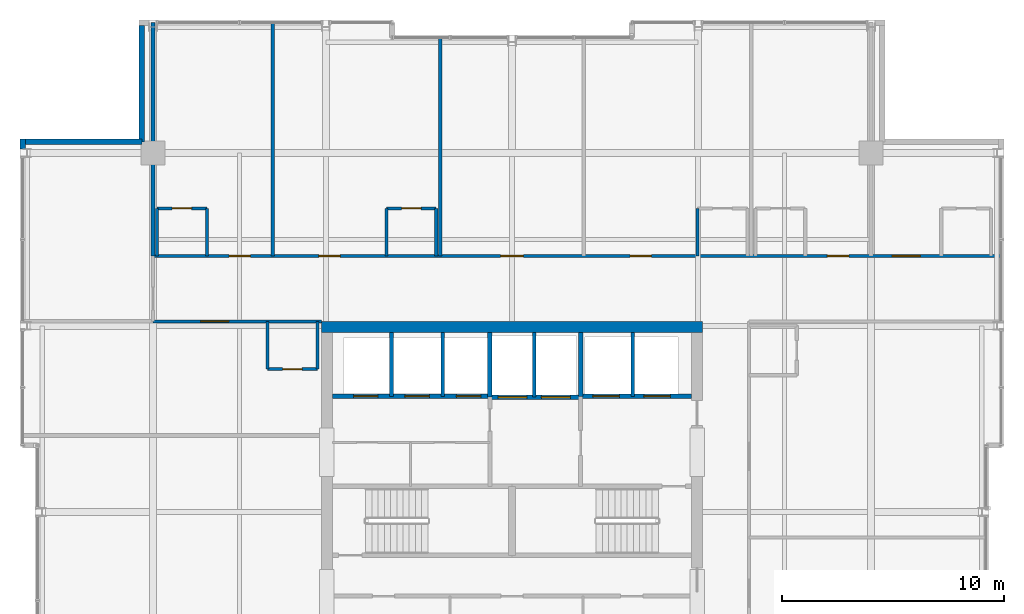
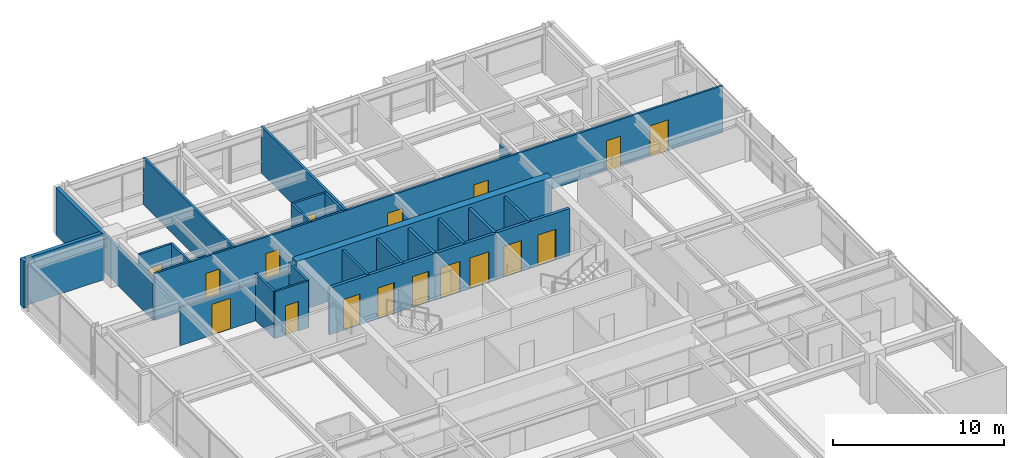
# One storey, part 28 of 32: 28 walls, 17 doors, 17 openings.
"""IFC4 building model written with IfcOpenShell, lengths in metres."""

from ifc_helpers import new_model, si_unit, direction, frame, frame_2d, origin, place, context, subcontext, project, spatial, rectangle, extrude, material, layer, layer_set, type_object, element, fill, save


model = new_model("IFC4")

# Units and contexts
model_context = context("Model", 3, precision=1e-05, world=origin(), true_north=direction((0.0, 1.0)))
body_context = subcontext(model_context, "Body", "Model", "MODEL_VIEW")
ifc_project = project(units=[si_unit("LENGTHUNIT", "METRE"), si_unit("AREAUNIT", "SQUARE_METRE"), si_unit("VOLUMEUNIT", "CUBIC_METRE"), si_unit("PLANEANGLEUNIT", "RADIAN"), si_unit("MASSUNIT", "GRAM", prefix="KILO")], contexts=[model_context])

# Site, building, storey
site_placement = place(None, origin())
site = spatial("IfcSite", under=ifc_project, at=site_placement, CompositionType="ELEMENT")
building_placement = place(site_placement, origin())
building = spatial("IfcBuilding", under=site, at=building_placement, Name="Drelvath Grand Hotel", CompositionType="ELEMENT")
storey_placement = place(building_placement, frame((0.0, 0.0, 241.10009765625)))
storey = spatial("IfcBuildingStorey", under=building, at=storey_placement, Name="L63", CompositionType="ELEMENT", Elevation=241.10009765625)

# Wall, openings, doors
ifc_material_1 = material(Name="Concrete C40/50", Category="concrete")
ifc_layer_1 = layer(ifc_material_1, 0.199951171875)
ifc_layer_set_1 = layer_set([ifc_layer_1], Name="Concrete C40/50")
wall_type_1 = type_object("IfcWallType", Name="Core Hoistway Fire Wall 200", PredefinedType="SOLIDWALL", material=ifc_layer_set_1)
wall_1_placement = place(storey_placement, frame((3.10009765625, 32.219970703125, 0.0), z_axis=(0.0, 0.0, 1.0), x_axis=(1.0, 0.0, 0.0)))
wall_1 = element("IfcWall", 1, at=wall_1_placement, inside=storey, type_object=wall_type_1, Name="L63 FSAE Hoistway Front Wall", PredefinedType="SOLIDWALL", context=body_context, shape_type="SweptSolid", body=[
    extrude(rectangle(XDim=5.0, YDim=0.199951171875, at=frame_2d((2.5, 0.0))), origin(), (0.0, 0.0, 1.0), 3.33984375),
])
opening_1_placement = place(wall_1_placement, frame((0.550048828125, 0.0, 0.0)))
opening_1 = element("IfcOpeningElement", 2, at=opening_1_placement, cuts=wall_1, Name="Opening LD-FSAE-1", PredefinedType="OPENING", context=body_context, shape_type="SweptSolid", body=[
    extrude(rectangle(XDim=1.199951171875, YDim=2.199951171875, at=frame_2d((0.60009765625, 1.10009765625))), frame((0.0, 0.10986328125, 0.0), z_axis=(0.0, -1.0, 0.0), x_axis=(1.0, 0.0, 0.0)), (0.0, 0.0, 1.0), 0.219970703125),
])
opening_2_placement = place(wall_1_placement, frame((2.85009765625, 0.0, 0.0)))
opening_2 = element("IfcOpeningElement", 3, at=opening_2_placement, cuts=wall_1, Name="Opening LD-FSAE-2", PredefinedType="OPENING", context=body_context, shape_type="SweptSolid", body=[
    extrude(rectangle(XDim=1.199951171875, YDim=2.199951171875, at=frame_2d((0.60009765625, 1.10009765625))), frame((0.0, 0.10986328125, 0.0), z_axis=(0.0, -1.0, 0.0), x_axis=(1.0, 0.0, 0.0)), (0.0, 0.0, 1.0), 0.219970703125),
])
ifc_material_2 = material(Name="Stainless Steel S355", Category="steel")
door_type_1 = type_object("IfcDoorType", Name="FSAE Lift Sliding Landing Door 1200x2200", OperationType="NOTDEFINED", PredefinedType="DOOR", material=ifc_material_2)
door_1_placement = place(opening_1_placement, origin())
door_1 = element("IfcDoor", 4, at=door_1_placement, inside=storey, type_object=door_type_1, Name="L63 Lift FSAE-1 Landing Door", OperationType="SLIDING_TO_LEFT", OverallHeight=2.199951171875, OverallWidth=1.199951171875, PredefinedType="DOOR", context=body_context, shape_type="SweptSolid", body=[
    extrude(rectangle(XDim=1.199951171875, YDim=2.199951171875, at=frame_2d((0.60009765625, 1.10009765625))), frame((0.0, 0.02490234375, 0.0), z_axis=(0.0, -1.0, 0.0), x_axis=(1.0, 0.0, 0.0)), (0.0, 0.0, 1.0), 0.050048828125),
])
fill(opening_1, door_1)
door_2_placement = place(opening_2_placement, origin())
door_2 = element("IfcDoor", 5, at=door_2_placement, inside=storey, type_object=door_type_1, Name="L63 Lift FSAE-2 Landing Door", OperationType="SLIDING_TO_LEFT", OverallHeight=2.199951171875, OverallWidth=1.199951171875, PredefinedType="DOOR", context=body_context, shape_type="SweptSolid", body=[
    extrude(rectangle(XDim=1.199951171875, YDim=2.199951171875, at=frame_2d((0.60009765625, 1.10009765625))), frame((0.0, 0.02490234375, 0.0), z_axis=(0.0, -1.0, 0.0), x_axis=(1.0, 0.0, 0.0)), (0.0, 0.0, 1.0), 0.050048828125),
])
fill(opening_2, door_2)

# Wall
wall_2_placement = place(storey_placement, frame((3.10009765625, 32.219970703125, 0.0), z_axis=(0.0, 0.0, 1.0), x_axis=(0.0, 1.0, 0.0)))
element("IfcWall", 6, at=wall_2_placement, inside=storey, type_object=wall_type_1, Name="L63 FSAE Hoistway West Wall", PredefinedType="SOLIDWALL", context=body_context, shape_type="SweptSolid", body=[
    extrude(rectangle(XDim=2.880126953125, YDim=0.199951171875, at=frame_2d((1.43994140625, 0.0))), origin(), (0.0, 0.0, 1.0), 3.33984375),
])

# Wall, openings, doors
wall_3_placement = place(storey_placement, frame((-1.0, 32.179931640625, 0.0), z_axis=(0.0, 0.0, 1.0), x_axis=(1.0, 0.0, 0.0)))
wall_3 = element("IfcWall", 7, at=wall_3_placement, inside=storey, type_object=wall_type_1, Name="L63 Service Lift Hoistway Wall", PredefinedType="SOLIDWALL", context=body_context, shape_type="SweptSolid", body=[
    extrude(rectangle(XDim=4.10009765625, YDim=0.199951171875, at=frame_2d((2.050048828125, 0.0))), origin(), (0.0, 0.0, 1.0), 3.33984375),
])
opening_3_placement = place(wall_3_placement, frame((0.3701171875, 0.0, 0.0)))
opening_3 = element("IfcOpeningElement", 8, at=opening_3_placement, cuts=wall_3, Name="Opening LD-SV-2", PredefinedType="OPENING", context=body_context, shape_type="SweptSolid", body=[
    extrude(rectangle(XDim=1.300048828125, YDim=2.199951171875, at=frame_2d((0.64990234375, 1.10009765625))), frame((0.0, 0.10986328125, 0.0), z_axis=(0.0, -1.0, 0.0), x_axis=(1.0, 0.0, 0.0)), (0.0, 0.0, 1.0), 0.219970703125),
])
opening_4_placement = place(wall_3_placement, frame((2.330078125, 0.0, 0.0)))
opening_4 = element("IfcOpeningElement", 9, at=opening_4_placement, cuts=wall_3, Name="Opening LD-SV-1", PredefinedType="OPENING", context=body_context, shape_type="SweptSolid", body=[
    extrude(rectangle(XDim=1.300048828125, YDim=2.199951171875, at=frame_2d((0.64990234375, 1.10009765625))), frame((0.0, 0.10986328125, 0.0), z_axis=(0.0, -1.0, 0.0), x_axis=(1.0, 0.0, 0.0)), (0.0, 0.0, 1.0), 0.219970703125),
])
door_type_2 = type_object("IfcDoorType", Name="Service Lift Sliding Landing Door 1300x2200", OperationType="NOTDEFINED", PredefinedType="DOOR", material=ifc_material_2)
door_3_placement = place(opening_3_placement, origin())
door_3 = element("IfcDoor", 10, at=door_3_placement, inside=storey, type_object=door_type_2, Name="L63 Lift SV-2 Landing Door", OperationType="SLIDING_TO_LEFT", OverallHeight=2.199951171875, OverallWidth=1.300048828125, PredefinedType="DOOR", context=body_context, shape_type="SweptSolid", body=[
    extrude(rectangle(XDim=1.300048828125, YDim=2.199951171875, at=frame_2d((0.64990234375, 1.10009765625))), frame((0.0, 0.02490234375, 0.0), z_axis=(0.0, -1.0, 0.0), x_axis=(1.0, 0.0, 0.0)), (0.0, 0.0, 1.0), 0.050048828125),
])
fill(opening_3, door_3)
door_4_placement = place(opening_4_placement, origin())
door_4 = element("IfcDoor", 11, at=door_4_placement, inside=storey, type_object=door_type_2, Name="L63 Lift SV-1 Landing Door", OperationType="SLIDING_TO_LEFT", OverallHeight=2.199951171875, OverallWidth=1.300048828125, PredefinedType="DOOR", context=body_context, shape_type="SweptSolid", body=[
    extrude(rectangle(XDim=1.300048828125, YDim=2.199951171875, at=frame_2d((0.64990234375, 1.10009765625))), frame((0.0, 0.02490234375, 0.0), z_axis=(0.0, -1.0, 0.0), x_axis=(1.0, 0.0, 0.0)), (0.0, 0.0, 1.0), 0.050048828125),
])
fill(opening_4, door_4)

# Wall
wall_4_placement = place(storey_placement, frame((-1.0, 32.179931640625, 0.0), z_axis=(0.0, 0.0, 1.0), x_axis=(0.0, 1.0, 0.0)))
element("IfcWall", 12, at=wall_4_placement, inside=storey, type_object=wall_type_1, Name="L63 Service Lift West Wall", PredefinedType="SOLIDWALL", context=body_context, shape_type="SweptSolid", body=[
    extrude(rectangle(XDim=2.920166015625, YDim=0.199951171875, at=frame_2d((1.4599609375, 0.0))), origin(), (0.0, 0.0, 1.0), 3.33984375),
])

# Wall, openings, doors
wall_5_placement = place(storey_placement, frame((-8.10009765625, 32.219970703125, 0.0), z_axis=(0.0, 0.0, 1.0), x_axis=(1.0, 0.0, 0.0)))
wall_5 = element("IfcWall", 13, at=wall_5_placement, inside=storey, type_object=wall_type_1, Name="L63 Bank 3 Hoistway Wall", PredefinedType="SOLIDWALL", context=body_context, shape_type="SweptSolid", body=[
    extrude(rectangle(XDim=7.10009765625, YDim=0.199951171875, at=frame_2d((3.550048828125, 0.0))), origin(), (0.0, 0.0, 1.0), 3.33984375),
])
opening_5_placement = place(wall_5_placement, frame((0.949951171875, 0.0, 0.0)))
opening_5 = element("IfcOpeningElement", 14, at=opening_5_placement, cuts=wall_5, Name="Opening LD-PE-7", PredefinedType="OPENING", context=body_context, shape_type="SweptSolid", body=[
    extrude(rectangle(XDim=1.10009765625, YDim=2.199951171875, at=frame_2d((0.550048828125, 1.10009765625))), frame((0.0, 0.10986328125, 0.0), z_axis=(0.0, -1.0, 0.0), x_axis=(1.0, 0.0, 0.0)), (0.0, 0.0, 1.0), 0.219970703125),
])
opening_6_placement = place(wall_5_placement, frame((3.27001953125, 0.0, 0.0)))
opening_6 = element("IfcOpeningElement", 15, at=opening_6_placement, cuts=wall_5, Name="Opening LD-PE-8", PredefinedType="OPENING", context=body_context, shape_type="SweptSolid", body=[
    extrude(rectangle(XDim=1.10009765625, YDim=2.199951171875, at=frame_2d((0.550048828125, 1.10009765625))), frame((0.0, 0.10986328125, 0.0), z_axis=(0.0, -1.0, 0.0), x_axis=(1.0, 0.0, 0.0)), (0.0, 0.0, 1.0), 0.219970703125),
])
opening_7_placement = place(wall_5_placement, frame((5.590087890625, 0.0, 0.0)))
opening_7 = element("IfcOpeningElement", 16, at=opening_7_placement, cuts=wall_5, Name="Opening LD-PE-9", PredefinedType="OPENING", context=body_context, shape_type="SweptSolid", body=[
    extrude(rectangle(XDim=1.10009765625, YDim=2.199951171875, at=frame_2d((0.550048828125, 1.10009765625))), frame((0.0, 0.10986328125, 0.0), z_axis=(0.0, -1.0, 0.0), x_axis=(1.0, 0.0, 0.0)), (0.0, 0.0, 1.0), 0.219970703125),
])
door_type_3 = type_object("IfcDoorType", Name="Passenger Lift Sliding Landing Door 1100x2200", OperationType="NOTDEFINED", PredefinedType="DOOR", material=ifc_material_2)
door_5_placement = place(opening_5_placement, origin())
door_5 = element("IfcDoor", 17, at=door_5_placement, inside=storey, type_object=door_type_3, Name="L63 Lift PE-7 Landing Door", OperationType="SLIDING_TO_LEFT", OverallHeight=2.199951171875, OverallWidth=1.10009765625, PredefinedType="DOOR", context=body_context, shape_type="SweptSolid", body=[
    extrude(rectangle(XDim=1.10009765625, YDim=2.199951171875, at=frame_2d((0.550048828125, 1.10009765625))), frame((0.0, 0.02490234375, 0.0), z_axis=(0.0, -1.0, 0.0), x_axis=(1.0, 0.0, 0.0)), (0.0, 0.0, 1.0), 0.050048828125),
])
fill(opening_5, door_5)
door_6_placement = place(opening_6_placement, origin())
door_6 = element("IfcDoor", 18, at=door_6_placement, inside=storey, type_object=door_type_3, Name="L63 Lift PE-8 Landing Door", OperationType="SLIDING_TO_LEFT", OverallHeight=2.199951171875, OverallWidth=1.10009765625, PredefinedType="DOOR", context=body_context, shape_type="SweptSolid", body=[
    extrude(rectangle(XDim=1.10009765625, YDim=2.199951171875, at=frame_2d((0.550048828125, 1.10009765625))), frame((0.0, 0.02490234375, 0.0), z_axis=(0.0, -1.0, 0.0), x_axis=(1.0, 0.0, 0.0)), (0.0, 0.0, 1.0), 0.050048828125),
])
fill(opening_6, door_6)
door_7_placement = place(opening_7_placement, origin())
door_7 = element("IfcDoor", 19, at=door_7_placement, inside=storey, type_object=door_type_3, Name="L63 Lift PE-9 Landing Door", OperationType="SLIDING_TO_LEFT", OverallHeight=2.199951171875, OverallWidth=1.10009765625, PredefinedType="DOOR", context=body_context, shape_type="SweptSolid", body=[
    extrude(rectangle(XDim=1.10009765625, YDim=2.199951171875, at=frame_2d((0.550048828125, 1.10009765625))), frame((0.0, 0.02490234375, 0.0), z_axis=(0.0, -1.0, 0.0), x_axis=(1.0, 0.0, 0.0)), (0.0, 0.0, 1.0), 0.050048828125),
])
fill(opening_7, door_7)

# Walls
ifc_material_3 = material(Name="Gypsum Fireboard Partition")
ifc_layer_2 = layer(ifc_material_3, 0.1650390625)
ifc_layer_set_2 = layer_set([ifc_layer_2], Name="Gypsum Fireboard Partition")
wall_type_2 = type_object("IfcWallType", Name="Core Shaft Partition 165", PredefinedType="PARTITIONING", material=ifc_layer_set_2)
wall_6_placement = place(storey_placement, frame((5.449951171875, 32.219970703125, 0.0), z_axis=(0.0, 0.0, 1.0), x_axis=(0.0, 1.0, 0.0)))
element("IfcWall", 20, at=wall_6_placement, inside=storey, type_object=wall_type_2, Name="L63 FSAE Hoistway Divider", PredefinedType="PARTITIONING", context=body_context, shape_type="SweptSolid", body=[
    extrude(rectangle(XDim=2.880126953125, YDim=0.1650390625, at=frame_2d((1.43994140625, 0.0))), origin(), (0.0, 0.0, 1.0), 3.33984375),
])
wall_7_placement = place(storey_placement, frame((1.0, 32.179931640625, 0.0), z_axis=(0.0, 0.0, 1.0), x_axis=(0.0, 1.0, 0.0)))
element("IfcWall", 21, at=wall_7_placement, inside=storey, type_object=wall_type_2, Name="L63 Service Lift Divider", PredefinedType="PARTITIONING", context=body_context, shape_type="SweptSolid", body=[
    extrude(rectangle(XDim=2.920166015625, YDim=0.1650390625, at=frame_2d((1.4599609375, 0.0))), origin(), (0.0, 0.0, 1.0), 3.33984375),
])
for number, where, z_axis, x_axis, name in (
    (22, (-5.43994140625, 32.219970703125, 0.0), (0.0, 0.0, 1.0), (0.0, 1.0, 0.0), "L63 Lift PE-7/8 Divider"),
    (23, (-3.1201171875, 32.219970703125, 0.0), (0.0, 0.0, 1.0), (0.0, 1.0, 0.0), "L63 Lift PE-8/9 Divider"),
):
    element("IfcWall", number, at=place(storey_placement, frame(where, z_axis=z_axis, x_axis=x_axis)), inside=storey, type_object=wall_type_2, Name=name, PredefinedType="PARTITIONING", context=body_context, shape_type="SweptSolid", body=[
        extrude(rectangle(XDim=2.880126953125, YDim=0.1650390625, at=frame_2d((1.43994140625, 0.0))), origin(), (0.0, 0.0, 1.0), 3.33984375),
    ])

# Wall, openings, doors
ifc_layer_3 = layer(ifc_material_3, 0.135009765625)
ifc_layer_set_3 = layer_set([ifc_layer_3], Name="Gypsum Fireboard Partition")
wall_type_3 = type_object("IfcWallType", Name="Corridor Fire Barrier Wall 135", PredefinedType="PARTITIONING", material=ifc_layer_set_3)
wall_8_placement = place(storey_placement, frame((-16.199951171875, 38.550048828125, 0.0), z_axis=(0.0, 0.0, 1.0), x_axis=(1.0, 0.0, 0.0)))
wall_8 = element("IfcWall", 24, at=wall_8_placement, inside=storey, type_object=wall_type_3, Name="L63 North Cross-Gallery Wall", PredefinedType="PARTITIONING", context=body_context, shape_type="SweptSolid", body=[
    extrude(rectangle(XDim=38.280029296875, YDim=0.135009765625, at=frame_2d((19.14013671875, 0.0))), origin(), (0.0, 0.0, 1.0), 3.33984375),
])
opening_8_placement = place(wall_8_placement, frame((33.35498046875, 0.0, 0.0)))
opening_8 = element("IfcOpeningElement", 25, at=opening_8_placement, cuts=wall_8, Name="Opening D-T4G4-024", PredefinedType="OPENING", context=body_context, shape_type="SweptSolid", body=[
    extrude(rectangle(XDim=1.260009765625, YDim=2.199951171875, at=frame_2d((0.6298828125, 1.10009765625))), frame((0.0, 0.077392578125, 0.0), z_axis=(0.0, -1.0, 0.0), x_axis=(1.0, 0.0, 0.0)), (0.0, 0.0, 1.0), 0.155029296875),
])
opening_9_placement = place(wall_8_placement, frame((3.43505859375, 0.0, 0.0)))
opening_9 = element("IfcOpeningElement", 26, at=opening_9_placement, cuts=wall_8, Name="Opening D-T4G4-033", PredefinedType="OPENING", context=body_context, shape_type="SweptSolid", body=[
    extrude(rectangle(XDim=0.9599609375, YDim=2.14990234375, at=frame_2d((0.47998046875, 1.074951171875))), frame((0.0, 0.077392578125, 0.0), z_axis=(0.0, -1.0, 0.0), x_axis=(1.0, 0.0, 0.0)), (0.0, 0.0, 1.0), 0.155029296875),
])
opening_10_placement = place(wall_8_placement, frame((7.485107421875, 0.0, 0.0)))
opening_10 = element("IfcOpeningElement", 27, at=opening_10_placement, cuts=wall_8, Name="Opening D-T4G4-035", PredefinedType="OPENING", context=body_context, shape_type="SweptSolid", body=[
    extrude(rectangle(XDim=0.9599609375, YDim=2.14990234375, at=frame_2d((0.47998046875, 1.074951171875))), frame((0.0, 0.077392578125, 0.0), z_axis=(0.0, -1.0, 0.0), x_axis=(1.0, 0.0, 0.0)), (0.0, 0.0, 1.0), 0.155029296875),
])
opening_11_placement = place(wall_8_placement, frame((15.68994140625, 0.0, 0.0)))
opening_11 = element("IfcOpeningElement", 28, at=opening_11_placement, cuts=wall_8, Name="Opening D-T4G4-036", PredefinedType="OPENING", context=body_context, shape_type="SweptSolid", body=[
    extrude(rectangle(XDim=1.02001953125, YDim=2.14990234375, at=frame_2d((0.510009765625, 1.074951171875))), frame((0.0, 0.077392578125, 0.0), z_axis=(0.0, -1.0, 0.0), x_axis=(1.0, 0.0, 0.0)), (0.0, 0.0, 1.0), 0.155029296875),
])
opening_12_placement = place(wall_8_placement, frame((21.52490234375, 0.0, 0.0)))
opening_12 = element("IfcOpeningElement", 29, at=opening_12_placement, cuts=wall_8, Name="Opening D-T4G4-038", PredefinedType="OPENING", context=body_context, shape_type="SweptSolid", body=[
    extrude(rectangle(XDim=0.9599609375, YDim=2.14990234375, at=frame_2d((0.47998046875, 1.074951171875))), frame((0.0, 0.077392578125, 0.0), z_axis=(0.0, -1.0, 0.0), x_axis=(1.0, 0.0, 0.0)), (0.0, 0.0, 1.0), 0.155029296875),
])
opening_13_placement = place(wall_8_placement, frame((30.43505859375, 0.0, 0.0)))
opening_13 = element("IfcOpeningElement", 30, at=opening_13_placement, cuts=wall_8, Name="Opening D-T4G4-040", PredefinedType="OPENING", context=body_context, shape_type="SweptSolid", body=[
    extrude(rectangle(XDim=0.9599609375, YDim=2.14990234375, at=frame_2d((0.47998046875, 1.074951171875))), frame((0.0, 0.077392578125, 0.0), z_axis=(0.0, -1.0, 0.0), x_axis=(1.0, 0.0, 0.0)), (0.0, 0.0, 1.0), 0.155029296875),
])
ifc_material_4 = material(Name="Hardwood Walnut Timber", Category="wood")
door_type_4 = type_object("IfcDoorType", Name="Amenity Meeting Fire Door 1020x2150", OperationType="NOTDEFINED", PredefinedType="DOOR", material=ifc_material_4)
door_8_placement = place(opening_11_placement, origin())
door_8 = element("IfcDoor", 31, at=door_8_placement, inside=storey, type_object=door_type_4, Name="L63 Wellness Therapy Room Entry Door", OperationType="SINGLE_SWING_LEFT", OverallHeight=2.14990234375, OverallWidth=1.02001953125, PredefinedType="DOOR", context=body_context, shape_type="SweptSolid", body=[
    extrude(rectangle(XDim=1.02001953125, YDim=2.14990234375, at=frame_2d((0.510009765625, 1.074951171875))), frame((0.0, 0.02490234375, 0.0), z_axis=(0.0, -1.0, 0.0), x_axis=(1.0, 0.0, 0.0)), (0.0, 0.0, 1.0), 0.050048828125),
])
fill(opening_11, door_8)
door_type_5 = type_object("IfcDoorType", Name="Guestroom Entrance Fire Door 960x2150", OperationType="NOTDEFINED", PredefinedType="DOOR", material=ifc_material_4)
door_9_placement = place(opening_9_placement, origin())
door_9 = element("IfcDoor", 32, at=door_9_placement, inside=storey, type_object=door_type_5, Name="L63 King Guest Room Entry Door", OperationType="SINGLE_SWING_RIGHT", OverallHeight=2.14990234375, OverallWidth=0.9599609375, PredefinedType="DOOR", context=body_context, shape_type="SweptSolid", body=[
    extrude(rectangle(XDim=0.9599609375, YDim=2.14990234375, at=frame_2d((0.47998046875, 1.074951171875))), frame((0.0, 0.02490234375, 0.0), z_axis=(0.0, -1.0, 0.0), x_axis=(1.0, 0.0, 0.0)), (0.0, 0.0, 1.0), 0.050048828125),
])
fill(opening_9, door_9)
door_10_placement = place(opening_10_placement, origin())
door_10 = element("IfcDoor", 33, at=door_10_placement, inside=storey, type_object=door_type_5, Name="L63 King Guest Room Entry Door", OperationType="SINGLE_SWING_RIGHT", OverallHeight=2.14990234375, OverallWidth=0.9599609375, PredefinedType="DOOR", context=body_context, shape_type="SweptSolid", body=[
    extrude(rectangle(XDim=0.9599609375, YDim=2.14990234375, at=frame_2d((0.47998046875, 1.074951171875))), frame((0.0, 0.02490234375, 0.0), z_axis=(0.0, -1.0, 0.0), x_axis=(1.0, 0.0, 0.0)), (0.0, 0.0, 1.0), 0.050048828125),
])
fill(opening_10, door_10)
door_11_placement = place(opening_12_placement, origin())
door_11 = element("IfcDoor", 34, at=door_11_placement, inside=storey, type_object=door_type_5, Name="L63 King Guest Room Entry Door", OperationType="SINGLE_SWING_LEFT", OverallHeight=2.14990234375, OverallWidth=0.9599609375, PredefinedType="DOOR", context=body_context, shape_type="SweptSolid", body=[
    extrude(rectangle(XDim=0.9599609375, YDim=2.14990234375, at=frame_2d((0.47998046875, 1.074951171875))), frame((0.0, 0.02490234375, 0.0), z_axis=(0.0, -1.0, 0.0), x_axis=(1.0, 0.0, 0.0)), (0.0, 0.0, 1.0), 0.050048828125),
])
fill(opening_12, door_11)
door_12_placement = place(opening_13_placement, origin())
door_12 = element("IfcDoor", 35, at=door_12_placement, inside=storey, type_object=door_type_5, Name="L63 King Guest Room Entry Door", OperationType="SINGLE_SWING_LEFT", OverallHeight=2.14990234375, OverallWidth=0.9599609375, PredefinedType="DOOR", context=body_context, shape_type="SweptSolid", body=[
    extrude(rectangle(XDim=0.9599609375, YDim=2.14990234375, at=frame_2d((0.47998046875, 1.074951171875))), frame((0.0, 0.02490234375, 0.0), z_axis=(0.0, -1.0, 0.0), x_axis=(1.0, 0.0, 0.0)), (0.0, 0.0, 1.0), 0.050048828125),
])
fill(opening_13, door_12)
door_type_6 = type_object("IfcDoorType", Name="Suite Entrance Fire Door 1260x2200", OperationType="NOTDEFINED", PredefinedType="DOOR", material=ifc_material_4)
door_13_placement = place(opening_8_placement, origin())
door_13 = element("IfcDoor", 36, at=door_13_placement, inside=storey, type_object=door_type_6, Name="L63 Diplomatic Suite Entry Door", OperationType="SINGLE_SWING_LEFT", OverallHeight=2.199951171875, OverallWidth=1.260009765625, PredefinedType="DOOR", context=body_context, shape_type="SweptSolid", body=[
    extrude(rectangle(XDim=1.260009765625, YDim=2.199951171875, at=frame_2d((0.6298828125, 1.10009765625))), frame((0.0, 0.02490234375, 0.0), z_axis=(0.0, -1.0, 0.0), x_axis=(1.0, 0.0, 0.0)), (0.0, 0.0, 1.0), 0.050048828125),
])
fill(opening_8, door_13)

# Wall, opening, door
wall_9_placement = place(storey_placement, frame((-16.199951171875, 35.60009765625, 0.0), z_axis=(0.0, 0.0, 1.0), x_axis=(1.0, 0.0, 0.0)))
wall_9 = element("IfcWall", 37, at=wall_9_placement, inside=storey, type_object=wall_type_3, Name="L63 North Gallery Inner West Wall", PredefinedType="PARTITIONING", context=body_context, shape_type="SweptSolid", body=[
    extrude(rectangle(XDim=7.599853515625, YDim=0.135009765625, at=frame_2d((3.7998046875, 0.0))), origin(), (0.0, 0.0, 1.0), 2.71728515625),
])
opening_14_placement = place(wall_9_placement, frame((2.155029296875, 0.0, 0.0)))
opening_14 = element("IfcOpeningElement", 38, at=opening_14_placement, cuts=wall_9, Name="Opening D-T4G4-048", PredefinedType="OPENING", context=body_context, shape_type="SweptSolid", body=[
    extrude(rectangle(XDim=1.260009765625, YDim=2.199951171875, at=frame_2d((0.6298828125, 1.10009765625))), frame((0.0, 0.077392578125, 0.0), z_axis=(0.0, -1.0, 0.0), x_axis=(1.0, 0.0, 0.0)), (0.0, 0.0, 1.0), 0.155029296875),
])
door_14_placement = place(opening_14_placement, origin())
door_14 = element("IfcDoor", 39, at=door_14_placement, inside=storey, type_object=door_type_6, Name="L63 Diplomatic Suite Entry Door", OperationType="SINGLE_SWING_LEFT", OverallHeight=2.199951171875, OverallWidth=1.260009765625, PredefinedType="DOOR", context=body_context, shape_type="SweptSolid", body=[
    extrude(rectangle(XDim=1.260009765625, YDim=2.199951171875, at=frame_2d((0.6298828125, 1.10009765625))), frame((0.0, 0.02490234375, 0.0), z_axis=(0.0, -1.0, 0.0), x_axis=(1.0, 0.0, 0.0)), (0.0, 0.0, 1.0), 0.050048828125),
])
fill(opening_14, door_14)

# Walls
ifc_material_5 = material(Name="Moisture-Resistant Gypsum Board")
ifc_layer_4 = layer(ifc_material_5, 0.139892578125)
ifc_layer_set_4 = layer_set([ifc_layer_4], Name="Moisture-Resistant Gypsum Board")
wall_type_4 = type_object("IfcWallType", Name="En-Suite Plumbing Wall 140", PredefinedType="PLUMBINGWALL", material=ifc_layer_set_4)
wall_10_placement = place(storey_placement, frame((-16.02001953125, 38.550048828125, 0.0), z_axis=(0.0, 0.0, 1.0), x_axis=(0.0, 1.0, 0.0)))
element("IfcWall", 40, at=wall_10_placement, inside=storey, type_object=wall_type_4, Name="L63 En-Suite Left Wall", PredefinedType="PLUMBINGWALL", context=body_context, shape_type="SweptSolid", body=[
    extrude(rectangle(XDim=2.14990234375, YDim=0.139892578125, at=frame_2d((1.074951171875, 0.0))), origin(), (0.0, 0.0, 1.0), 2.713623046875),
])
wall_11_placement = place(storey_placement, frame((-13.77001953125, 38.550048828125, 0.0), z_axis=(0.0, 0.0, 1.0), x_axis=(0.0, 1.0, 0.0)))
element("IfcWall", 41, at=wall_11_placement, inside=storey, type_object=wall_type_4, Name="L63 En-Suite Right Wall", PredefinedType="PLUMBINGWALL", context=body_context, shape_type="SweptSolid", body=[
    extrude(rectangle(XDim=2.14990234375, YDim=0.139892578125, at=frame_2d((1.074951171875, 0.0))), origin(), (0.0, 0.0, 1.0), 3.33984375),
])

# Wall, opening, door
wall_12_placement = place(storey_placement, frame((-16.02001953125, 40.699951171875, 0.0), z_axis=(0.0, 0.0, 1.0), x_axis=(1.0, 0.0, 0.0)))
wall_12 = element("IfcWall", 42, at=wall_12_placement, inside=storey, type_object=wall_type_4, Name="L63 En-Suite Front Wall", PredefinedType="PLUMBINGWALL", context=body_context, shape_type="SweptSolid", body=[
    extrude(rectangle(XDim=2.25, YDim=0.139892578125, at=frame_2d((1.125, 0.0))), origin(), (0.0, 0.0, 1.0), 3.33984375),
])
opening_15_placement = place(wall_12_placement, frame((0.68505859375, 0.0, 0.0)))
opening_15 = element("IfcOpeningElement", 43, at=opening_15_placement, cuts=wall_12, Name="Opening D-T4G4-032", PredefinedType="OPENING", context=body_context, shape_type="SweptSolid", body=[
    extrude(rectangle(XDim=0.8798828125, YDim=2.10009765625, at=frame_2d((0.43994140625, 1.050048828125))), frame((0.0, 0.079833984375, 0.0), z_axis=(0.0, -1.0, 0.0), x_axis=(1.0, 0.0, 0.0)), (0.0, 0.0, 1.0), 0.159912109375),
])
door_type_7 = type_object("IfcDoorType", Name="En-Suite Bathroom Door 880x2100", OperationType="NOTDEFINED", PredefinedType="DOOR", material=ifc_material_4)
door_15_placement = place(opening_15_placement, origin())
door_15 = element("IfcDoor", 44, at=door_15_placement, inside=storey, type_object=door_type_7, Name="L63 En-Suite Bathroom Door", OperationType="SINGLE_SWING_LEFT", OverallHeight=2.10009765625, OverallWidth=0.8798828125, PredefinedType="DOOR", context=body_context, shape_type="SweptSolid", body=[
    extrude(rectangle(XDim=0.8798828125, YDim=2.10009765625, at=frame_2d((0.43994140625, 1.050048828125))), frame((0.0, 0.02490234375, 0.0), z_axis=(0.0, -1.0, 0.0), x_axis=(1.0, 0.0, 0.0)), (0.0, 0.0, 1.0), 0.050048828125),
])
fill(opening_15, door_15)

# Walls
for number, where, z_axis, x_axis, name in (
    (45, (-5.669921875, 38.550048828125, 0.0), (0.0, 0.0, 1.0), (0.0, 1.0, 0.0), "L63 En-Suite Left Wall"),
    (46, (-3.419921875, 38.550048828125, 0.0), (0.0, 0.0, 1.0), (0.0, 1.0, 0.0), "L63 En-Suite Right Wall"),
):
    element("IfcWall", number, at=place(storey_placement, frame(where, z_axis=z_axis, x_axis=x_axis)), inside=storey, type_object=wall_type_4, Name=name, PredefinedType="PLUMBINGWALL", context=body_context, shape_type="SweptSolid", body=[
        extrude(rectangle(XDim=2.14990234375, YDim=0.139892578125, at=frame_2d((1.074951171875, 0.0))), origin(), (0.0, 0.0, 1.0), 3.33984375),
    ])

# Wall, opening, door
wall_13_placement = place(storey_placement, frame((-5.669921875, 40.699951171875, 0.0), z_axis=(0.0, 0.0, 1.0), x_axis=(1.0, 0.0, 0.0)))
wall_13 = element("IfcWall", 47, at=wall_13_placement, inside=storey, type_object=wall_type_4, Name="L63 En-Suite Front Wall", PredefinedType="PLUMBINGWALL", context=body_context, shape_type="SweptSolid", body=[
    extrude(rectangle(XDim=2.25, YDim=0.139892578125, at=frame_2d((1.125, 0.0))), origin(), (0.0, 0.0, 1.0), 3.33984375),
])
opening_16_placement = place(wall_13_placement, frame((0.68505859375, 0.0, 0.0)))
opening_16 = element("IfcOpeningElement", 48, at=opening_16_placement, cuts=wall_13, Name="Opening D-T4G4-034", PredefinedType="OPENING", context=body_context, shape_type="SweptSolid", body=[
    extrude(rectangle(XDim=0.8798828125, YDim=2.10009765625, at=frame_2d((0.43994140625, 1.050048828125))), frame((0.0, 0.079833984375, 0.0), z_axis=(0.0, -1.0, 0.0), x_axis=(1.0, 0.0, 0.0)), (0.0, 0.0, 1.0), 0.159912109375),
])
door_16_placement = place(opening_16_placement, origin())
door_16 = element("IfcDoor", 49, at=door_16_placement, inside=storey, type_object=door_type_7, Name="L63 En-Suite Bathroom Door", OperationType="SINGLE_SWING_LEFT", OverallHeight=2.10009765625, OverallWidth=0.8798828125, PredefinedType="DOOR", context=body_context, shape_type="SweptSolid", body=[
    extrude(rectangle(XDim=0.8798828125, YDim=2.10009765625, at=frame_2d((0.43994140625, 1.050048828125))), frame((0.0, 0.02490234375, 0.0), z_axis=(0.0, -1.0, 0.0), x_axis=(1.0, 0.0, 0.0)), (0.0, 0.0, 1.0), 0.050048828125),
])
fill(opening_16, door_16)

# Walls
wall_14_placement = place(storey_placement, frame((8.3701171875, 38.550048828125, 0.0), z_axis=(0.0, 0.0, 1.0), x_axis=(0.0, 1.0, 0.0)))
element("IfcWall", 50, at=wall_14_placement, inside=storey, type_object=wall_type_4, Name="L63 En-Suite Left Wall", PredefinedType="PLUMBINGWALL", context=body_context, shape_type="SweptSolid", body=[
    extrude(rectangle(XDim=2.14990234375, YDim=0.139892578125, at=frame_2d((1.074951171875, 0.0))), origin(), (0.0, 0.0, 1.0), 2.71728515625),
])
for number, where, z_axis, x_axis, name in (
    (51, (-11.030029296875, 35.60009765625, 0.0), (0.0, 0.0, 1.0), (0.0, -1.0, 0.0), "L63 En-Suite Left Wall"),
    (52, (-8.780029296875, 35.60009765625, 0.0), (0.0, 0.0, 1.0), (0.0, -1.0, 0.0), "L63 En-Suite Right Wall"),
):
    element("IfcWall", number, at=place(storey_placement, frame(where, z_axis=z_axis, x_axis=x_axis)), inside=storey, type_object=wall_type_4, Name=name, PredefinedType="PLUMBINGWALL", context=body_context, shape_type="SweptSolid", body=[
        extrude(rectangle(XDim=2.150146484375, YDim=0.139892578125, at=frame_2d((1.0751953125, 0.0))), origin(), (0.0, 0.0, 1.0), 3.33984375),
    ])

# Wall, opening, door
wall_15_placement = place(storey_placement, frame((-11.030029296875, 33.449951171875, 0.0), z_axis=(0.0, 0.0, 1.0), x_axis=(1.0, 0.0, 0.0)))
wall_15 = element("IfcWall", 53, at=wall_15_placement, inside=storey, type_object=wall_type_4, Name="L63 En-Suite Front Wall", PredefinedType="PLUMBINGWALL", context=body_context, shape_type="SweptSolid", body=[
    extrude(rectangle(XDim=2.25, YDim=0.139892578125, at=frame_2d((1.125, 0.0))), origin(), (0.0, 0.0, 1.0), 3.33984375),
])
opening_17_placement = place(wall_15_placement, frame((0.68505859375, 0.0, 0.0)))
opening_17 = element("IfcOpeningElement", 54, at=opening_17_placement, cuts=wall_15, Name="Opening D-T4G4-047", PredefinedType="OPENING", context=body_context, shape_type="SweptSolid", body=[
    extrude(rectangle(XDim=0.8798828125, YDim=2.10009765625, at=frame_2d((0.43994140625, 1.050048828125))), frame((0.0, 0.079833984375, 0.0), z_axis=(0.0, -1.0, 0.0), x_axis=(1.0, 0.0, 0.0)), (0.0, 0.0, 1.0), 0.159912109375),
])
door_17_placement = place(opening_17_placement, origin())
door_17 = element("IfcDoor", 55, at=door_17_placement, inside=storey, type_object=door_type_7, Name="L63 En-Suite Bathroom Door", OperationType="SINGLE_SWING_RIGHT", OverallHeight=2.10009765625, OverallWidth=0.8798828125, PredefinedType="DOOR", context=body_context, shape_type="SweptSolid", body=[
    extrude(rectangle(XDim=0.8798828125, YDim=2.10009765625, at=frame_2d((0.43994140625, 1.050048828125))), frame((0.0, 0.02490234375, 0.0), z_axis=(0.0, -1.0, 0.0), x_axis=(1.0, 0.0, 0.0)), (0.0, 0.0, 1.0), 0.050048828125),
])
fill(opening_17, door_17)

# Walls
ifc_material_6 = material(Name="Gypsum Acoustic Partition")
ifc_layer_5 = layer(ifc_material_6, 0.14990234375)
ifc_layer_set_5 = layer_set([ifc_layer_5], Name="Gypsum Acoustic Partition")
wall_type_5 = type_object("IfcWallType", Name="Guestroom Demising Wall 150", PredefinedType="PARTITIONING", material=ifc_layer_set_5)
wall_16_placement = place(storey_placement, frame((-10.800048828125, 38.550048828125, 0.0), z_axis=(0.0, 0.0, 1.0), x_axis=(0.0, 1.0, 0.0)))
element("IfcWall", 56, at=wall_16_placement, inside=storey, type_object=wall_type_5, Name="L63 North Demising 1", PredefinedType="PARTITIONING", context=body_context, shape_type="SweptSolid", body=[
    extrude(rectangle(XDim=10.530029296875, YDim=0.14990234375, at=frame_2d((5.26513671875, 0.0))), origin(), (0.0, 0.0, 1.0), 3.33984375),
])
wall_17_placement = place(storey_placement, frame((-3.239990234375, 38.550048828125, 0.0), z_axis=(0.0, 0.0, 1.0), x_axis=(0.0, 1.0, 0.0)))
element("IfcWall", 57, at=wall_17_placement, inside=storey, type_object=wall_type_5, Name="L63 North Demising 2", PredefinedType="PARTITIONING", context=body_context, shape_type="SweptSolid", body=[
    extrude(rectangle(XDim=9.849853515625, YDim=0.14990234375, at=frame_2d((4.9248046875, 0.0))), origin(), (0.0, 0.0, 1.0), 3.33984375),
])
ifc_layer_6 = layer(ifc_material_6, 0.1650390625)
ifc_layer_set_6 = layer_set([ifc_layer_6], Name="Gypsum Acoustic Partition")
wall_type_6 = type_object("IfcWallType", Name="Suite Demising Wall 165", PredefinedType="PARTITIONING", material=ifc_layer_set_6)
wall_18_placement = place(storey_placement, frame((-16.199951171875, 38.550048828125, 0.0), z_axis=(0.0, 0.0, 1.0), x_axis=(0.0, 1.0, 0.0)))
element("IfcWall", 58, at=wall_18_placement, inside=storey, type_object=wall_type_6, Name="L63 NW Suite Wall", PredefinedType="PARTITIONING", context=body_context, shape_type="SweptSolid", body=[
    extrude(rectangle(XDim=10.530029296875, YDim=0.1650390625, at=frame_2d((5.26513671875, 0.0))), origin(), (0.0, 0.0, 1.0), 2.713623046875),
])
ifc_material_7 = material(Name="Pale-Metal Insulated Aluminium Spandrel Assembly", Category="aluminium")
ifc_layer_7 = layer(ifc_material_7, 0.239990234375)
ifc_layer_set_7 = layer_set([ifc_layer_7], Name="Pale-Metal Insulated Aluminium Spandrel Assembly")
wall_type_7 = type_object("IfcWallType", Name="Tower Insulated Metal Spandrel Closure Wall 240", PredefinedType="STANDARD", material=ifc_layer_set_7)
wall_19_placement = place(storey_placement, frame((-22.080078125, 43.378173828125, 0.0), z_axis=(0.0, 0.0, 1.0), x_axis=(0.0, 1.0, 0.0)))
element("IfcWall", 59, at=wall_19_placement, inside=storey, type_object=wall_type_7, Name="L63 Corner Pier Spandrel Wall WN3", PredefinedType="STANDARD", context=body_context, shape_type="SweptSolid", body=[
    extrude(rectangle(XDim=0.44189453125, YDim=0.239990234375, at=frame_2d((0.220947265625, 0.0))), origin(), (0.0, 0.0, 1.0), 3.33984375),
])
for number, where, z_axis, x_axis, name in (
    (60, (-21.9599609375, 43.699951171875, 0.0), (0.0, 0.0, 1.0), (1.0, 0.0, 0.0), "L63 Notched Corner Return Spandrel Wall CNW1"),
    (61, (-16.699951171875, 43.699951171875, 0.0), (0.0, 0.0, 1.0), (0.0, 1.0, 0.0), "L63 Notched Corner Return Spandrel Wall CNW2"),
):
    element("IfcWall", number, at=place(storey_placement, frame(where, z_axis=z_axis, x_axis=x_axis)), inside=storey, type_object=wall_type_7, Name=name, PredefinedType="STANDARD", context=body_context, shape_type="SweptSolid", body=[
        extrude(rectangle(XDim=5.260009765625, YDim=0.239990234375, at=frame_2d((2.6298828125, 0.0))), origin(), (0.0, 0.0, 1.0), 3.33984375),
    ])
ifc_material_8 = material(Name="Concrete f'c 55 MPa", Category="concrete")
ifc_layer_8 = layer(ifc_material_8, 0.5)
ifc_layer_set_8 = layer_set([ifc_layer_8], Name="Concrete f'c 55 MPa")
wall_type_8 = type_object("IfcWallType", Name="Upper Core RC Shear Wall 500", PredefinedType="SHEAR", material=ifc_layer_set_8)
wall_20_placement = place(storey_placement, frame((-8.60009765625, 35.35009765625, 0.0), z_axis=(0.0, 0.0, 1.0), x_axis=(1.0, 0.0, 0.0)))
element("IfcWall", 62, at=wall_20_placement, inside=storey, type_object=wall_type_8, Name="L63 Central Core Shear Wall N", PredefinedType="SHEAR", context=body_context, shape_type="SweptSolid", body=[
    extrude(rectangle(XDim=17.2001953125, YDim=0.5, at=frame_2d((8.60009765625, 0.0))), origin(), (0.0, 0.0, 1.0), 3.599853515625),
])

save(model, "model.ifc")
